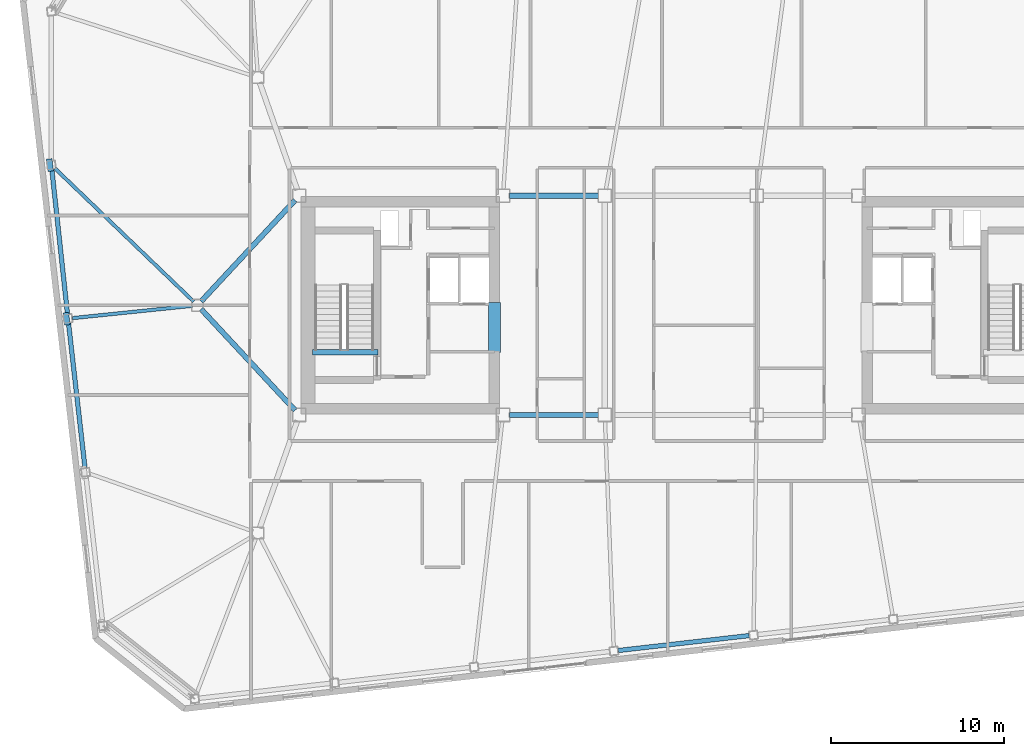
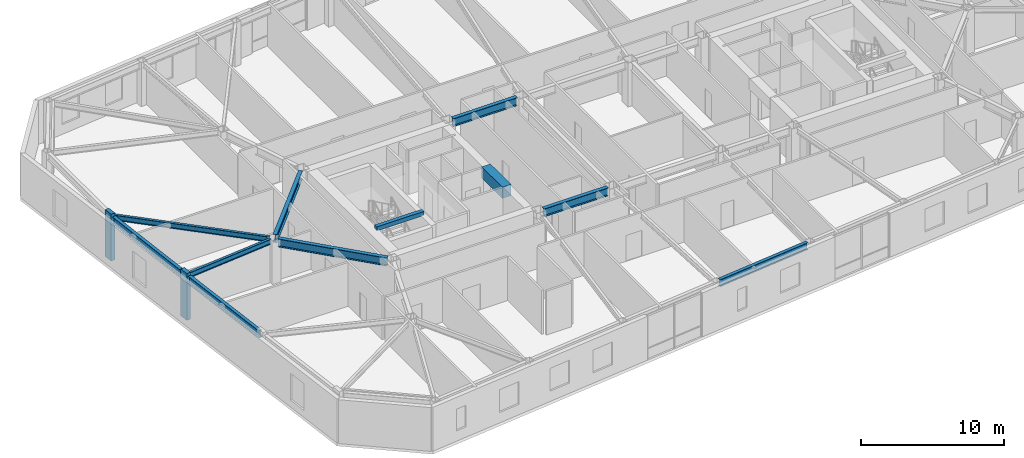
# One storey, part 5 of 20: 11 beams, 2 members.
"""IFC4 building model written with IfcOpenShell, lengths in metres."""

import ifcopenshell
import ifcopenshell.guid

model = None  # the IFC model being written
_history = None  # IfcOwnerHistory: only IFC2X3 demands one
_inside = {}  # id of a spatial element -> (the spatial element, [elements in it])
_under = {}  # id of a project, library or spatial element -> (it, [spatial elements below it])
_declared = {}  # id of a project -> (the project, [libraries it declares])
_typed = {}  # id of a type object -> (the type object, [elements of that type])
_made_of = {}  # id of a material, layer set ... -> (it, [elements and type objects made of it])


def new_model(schema):
    """Start an empty IFC model of exactly this schema.

    Asked for "IFC4X3", IfcOpenShell would pick the latest addendum, in which some entities
    have other attributes; the version numbers below select the first issue.
    IFC2X3 requires an IfcOwnerHistory on every rooted entity: one is made here for all.
    """
    global model, _history
    if schema == "IFC4X3":
        model = ifcopenshell.file(schema_version=(4, 3, 0, 0))
    else:
        model = ifcopenshell.file(schema=schema)
    _inside.clear()
    _under.clear()
    _declared.clear()
    _typed.clear()
    _made_of.clear()
    _history = None
    if model.schema == "IFC2X3":
        org = make("IfcOrganization", Name="unknown")
        user = make(
            "IfcPersonAndOrganization",
            ThePerson=make("IfcPerson", FamilyName="unknown"),
            TheOrganization=org,
        )
        app = make(
            "IfcApplication",
            ApplicationDeveloper=org,
            Version="unknown",
            ApplicationFullName="unknown",
            ApplicationIdentifier="unknown",
        )
        _history = make(
            "IfcOwnerHistory",
            OwningUser=user,
            OwningApplication=app,
            ChangeAction="ADDED",
            CreationDate=0,
        )
    return model


def make(cls, **values):
    """One entity of the class cls with the attributes given. An attribute that is None is left unset."""
    return model.create_entity(
        cls, **{name: value for name, value in values.items() if value is not None}
    )


def rooted(cls, **values):
    """An entity with a GlobalId (a new one), such as an element, a storey or a relation."""
    return make(cls, GlobalId=ifcopenshell.guid.new(), OwnerHistory=_history, **values)


def si_unit(unit_type, name, prefix=None):
    """IfcSIUnit, for example si_unit("LENGTHUNIT", "METRE", prefix="MILLI")."""
    return make("IfcSIUnit", UnitType=unit_type, Prefix=prefix, Name=name)


def assignment(units):
    """IfcUnitAssignment: the units of a project."""
    return None if units is None else make("IfcUnitAssignment", Units=units)


def point(xyz):
    """IfcCartesianPoint."""
    return None if xyz is None else make("IfcCartesianPoint", Coordinates=xyz)


def direction(xyz):
    """IfcDirection."""
    return None if xyz is None else make("IfcDirection", DirectionRatios=xyz)


def frame(location, z_axis=None, x_axis=None):
    """IfcAxis2Placement3D, a coordinate frame: its origin and axes. An axis left out is left unset."""
    return make(
        "IfcAxis2Placement3D",
        Location=point(location),
        Axis=direction(z_axis),
        RefDirection=direction(x_axis),
    )


def frame_2d(location, x_axis=None):
    """IfcAxis2Placement2D, a coordinate frame in the plane: its origin and x axis."""
    return make(
        "IfcAxis2Placement2D", Location=point(location), RefDirection=direction(x_axis)
    )


def origin():
    """The frame at (0, 0, 0) with its axes left unset."""
    return frame((0.0, 0.0, 0.0))


def origin_2d():
    """The frame at (0, 0) in the plane with its x axis left unset."""
    return frame_2d((0.0, 0.0))


def place(relative_to, where):
    """IfcLocalPlacement: puts the frame where relative to a parent placement (None: the world)."""
    return make(
        "IfcLocalPlacement", PlacementRelTo=relative_to, RelativePlacement=where
    )


def context(
    kind, dimensions, precision=None, world=None, true_north=None, identifier=None
):
    """IfcGeometricRepresentationContext, for example the 3D "Model" context."""
    return make(
        "IfcGeometricRepresentationContext",
        ContextIdentifier=identifier,
        ContextType=kind,
        CoordinateSpaceDimension=dimensions,
        Precision=precision,
        WorldCoordinateSystem=world,
        TrueNorth=true_north,
    )


def subcontext(parent, identifier, kind, view, scale=None):
    """IfcGeometricRepresentationSubContext, for example "Body" below "Model"."""
    return make(
        "IfcGeometricRepresentationSubContext",
        ContextIdentifier=identifier,
        ContextType=kind,
        ParentContext=parent,
        TargetScale=scale,
        TargetView=view,
    )


def project(units=None, contexts=None):
    """IfcProject with its units and contexts."""
    return rooted(
        "IfcProject",
        Name="project",
        RepresentationContexts=contexts,
        UnitsInContext=assignment(units),
    )


def spatial(cls, under=None, at=None, **own):
    """A site, building, storey or space (cls), placed at a placement, below another one or the project."""
    s = rooted(cls, ObjectPlacement=at, **own)
    if under is not None:
        _under.setdefault(under.id(), (under, []))[1].append(s)
    return s


def profile(cls, at=None, kind="AREA", **sizes):
    """A parametric profile (cls). Its sizes go by their IFC names, for example OverallWidth=200.0."""
    return make(cls, ProfileType=kind, Position=at, **sizes)


def rectangle(**sizes):
    """IfcRectangleProfileDef."""
    return profile("IfcRectangleProfileDef", **sizes)


def i_section(**sizes):
    """IfcIShapeProfileDef."""
    return profile("IfcIShapeProfileDef", **sizes)


def extrude(swept, where, along, depth):
    """IfcExtrudedAreaSolid: the profile swept, set in the frame where, extruded along a direction by depth."""
    return make(
        "IfcExtrudedAreaSolid",
        SweptArea=swept,
        Position=where,
        ExtrudedDirection=direction(along),
        Depth=depth,
    )


def shape(context_of_items, identifier, shape_type, items):
    """IfcShapeRepresentation: the items that make up one representation, for example the "Body"."""
    return make(
        "IfcShapeRepresentation",
        ContextOfItems=context_of_items,
        RepresentationIdentifier=identifier,
        RepresentationType=shape_type,
        Items=items,
    )


def material(Name=None, Category=None):
    """IfcMaterial."""
    return make("IfcMaterial", Name=Name, Category=Category)


def material_profile(
    of_material, cross_section, Name=None, Category=None, Priority=None
):
    """IfcMaterialProfile: a cross section and its material."""
    return make(
        "IfcMaterialProfile",
        Name=Name,
        Material=of_material,
        Profile=cross_section,
        Priority=Priority,
        Category=Category,
    )


def profile_set(profiles, Name=None, composite=None):
    """IfcMaterialProfileSet."""
    return make(
        "IfcMaterialProfileSet",
        Name=Name,
        MaterialProfiles=profiles,
        CompositeProfile=composite,
    )


def made_of(thing, what):
    """Note that an element or type object is made of a material, layer set ...; save() writes the relation."""
    if what is not None:
        _made_of.setdefault(what.id(), (what, []))[1].append(thing)
    return thing


def type_object(cls, material=None, **own):
    """A type object (cls), such as IfcWallType, which elements share."""
    return made_of(rooted(cls, **own), material)


def element(
    cls,
    number,
    at=None,
    inside=None,
    cuts=None,
    type_object=None,
    material=None,
    context=None,
    identifier="Body",
    shape_type=None,
    held_by="IfcProductDefinitionShape",
    body=None,
    shapes=None,
    **own,
):
    """One element of the class cls, such as IfcWall. Its Tag is "e" and its number.

    at: its placement. inside: the storey or other place that contains it. cuts: it is an
    opening in that element (IfcRelVoidsElement). A single representation is given by context,
    identifier, shape_type and body (its items); several are given by shapes. held_by: the class
    of the entity that holds the representations. save() writes the other relations.
    """
    e = rooted(cls, Tag="e%d" % number, ObjectPlacement=at, **own)
    if body is not None:
        shapes = [shape(context, identifier, shape_type, body)]
    if shapes is not None:
        e.Representation = make(held_by, Representations=shapes)
    if inside is not None:
        _inside.setdefault(inside.id(), (inside, []))[1].append(e)
    if cuts is not None:
        rooted(
            "IfcRelVoidsElement", RelatingBuildingElement=cuts, RelatedOpeningElement=e
        )
    if type_object is not None:
        _typed.setdefault(type_object.id(), (type_object, []))[1].append(e)
    return made_of(e, material)


def aggregate(whole, parts):
    """IfcRelAggregates: a whole, such as a stair, and the parts it consists of."""
    return rooted("IfcRelAggregates", RelatingObject=whole, RelatedObjects=parts)


def save(model, path):
    """Write the relations noted so far, then the file.

    IfcRelAggregates (storeys below a building ...), IfcRelContainedInSpatialStructure (elements
    in a storey), IfcRelDefinesByType, IfcRelAssociatesMaterial and IfcRelDeclares: one each for
    every whole, place, type object, material and project.
    """
    for whole, parts in _under.values():
        aggregate(whole, parts)
    for where, things in _inside.values():
        rooted(
            "IfcRelContainedInSpatialStructure",
            RelatedElements=things,
            RelatingStructure=where,
        )
    for kind, things in _typed.values():
        rooted("IfcRelDefinesByType", RelatedObjects=things, RelatingType=kind)
    for what, things in _made_of.values():
        rooted("IfcRelAssociatesMaterial", RelatedObjects=things, RelatingMaterial=what)
    for by, libraries in _declared.values():
        rooted("IfcRelDeclares", RelatingContext=by, RelatedDefinitions=libraries)
    model.write(path)


model = new_model("IFC4")

# Units and contexts
model_context = context("Model", 3, precision=1e-05, world=origin(), true_north=direction((0.0, 1.0)))
body_context = subcontext(model_context, "Body", "Model", "MODEL_VIEW")
ifc_project = project(units=[si_unit("LENGTHUNIT", "METRE"), si_unit("AREAUNIT", "SQUARE_METRE"), si_unit("VOLUMEUNIT", "CUBIC_METRE"), si_unit("PLANEANGLEUNIT", "RADIAN"), si_unit("MASSUNIT", "GRAM", prefix="KILO")], contexts=[model_context])

# Site, building, storey
site_placement = place(None, origin())
site = spatial("IfcSite", under=ifc_project, at=site_placement, CompositionType="ELEMENT")
building_placement = place(site_placement, origin())
building = spatial("IfcBuilding", under=site, at=building_placement, Name="Tavrogorsk Clinical Tower", CompositionType="ELEMENT")
storey_placement = place(building_placement, frame((0.0, 0.0, 251.0)))
storey = spatial("IfcBuildingStorey", under=building, at=storey_placement, Name="L58", CompositionType="ELEMENT", Elevation=251.0)

# Beams
ifc_material_1 = material(Name="Concrete B80", Category="concrete")
ifc_material_profile_1 = material_profile(ifc_material_1, rectangle(XDim=0.699951171875, YDim=0.949951171875, at=origin_2d()), Name="RC-CB-700x950")
ifc_profile_set_1 = profile_set([ifc_material_profile_1], Name="Concrete B80")
beam_type_1 = type_object("IfcBeamType", Name="CouplingBeam_RC700x950", PredefinedType="LINTEL", material=ifc_profile_set_1)
beam_1_placement = place(storey_placement, frame((-10.800048828125, -2.75, 3.264892578125), z_axis=(0.0, 1.0, 0.0), x_axis=(-1.0, 0.0, 0.0)))
element("IfcBeam", 1, at=beam_1_placement, inside=storey, type_object=beam_type_1, Name="L58 Core West Coupling Beam", PredefinedType="LINTEL", context=body_context, shape_type="SweptSolid", body=[
    extrude(rectangle(XDim=0.699951171875, YDim=0.949951171875, at=origin_2d()), origin(), (0.0, 0.0, 1.0), 2.89990234375),
])
ifc_material_2 = material(Name="Structural steel S355", Category="steel")
ifc_material_profile_2 = material_profile(ifc_material_2, i_section(OverallWidth=0.199951171875, OverallDepth=0.449951171875, WebThickness=0.011474609375, FlangeThickness=0.01806640625, at=origin_2d()), Name="B-450x200x11.5x18")
ifc_profile_set_2 = profile_set([ifc_material_profile_2], Name="Structural steel S355")
beam_type_2 = type_object("IfcBeamType", Name="FloorBeam_B450", PredefinedType="BEAM", material=ifc_profile_set_2)
beam_2_placement = place(storey_placement, frame((-28.2236328125, 0.214599609375, 3.514892578125), z_axis=(-0.721413519982, 0.692504536582, 0.0), x_axis=(-0.692504536582, -0.721413519982, 0.0)))
element("IfcBeam", 2, at=beam_2_placement, inside=storey, type_object=beam_type_2, Name="L58 Radial Floor Beam W2", PredefinedType="BEAM", context=body_context, shape_type="SweptSolid", body=[
    extrude(i_section(OverallWidth=0.199951171875, OverallDepth=0.449951171875, WebThickness=0.011474609375, FlangeThickness=0.01806640625, at=origin_2d()), origin(), (0.0, 0.0, 1.0), 11.1728515625),
])
beam_3_placement = place(storey_placement, frame((-28.308349609375, -0.03173828125, 3.514892578125), z_axis=(-0.994752624307, -0.102309415177, 0.0), x_axis=(0.102309415177, -0.994752624307, 0.0)))
element("IfcBeam", 3, at=beam_3_placement, inside=storey, type_object=beam_type_2, Name="L58 Radial Floor Beam W3", PredefinedType="BEAM", context=body_context, shape_type="SweptSolid", body=[
    extrude(i_section(OverallWidth=0.199951171875, OverallDepth=0.449951171875, WebThickness=0.011474609375, FlangeThickness=0.01806640625, at=origin_2d()), origin(), (0.0, 0.0, 1.0), 6.9775390625),
])

# Members
ifc_material_3 = material(Name="Precast concrete B45 with limestone cladding", Category="masonry")
ifc_material_profile_3 = material_profile(ifc_material_3, rectangle(XDim=0.320068359375, YDim=0.719970703125, at=origin_2d()), Name="LIMESTONE-FIN-320x720")
ifc_profile_set_3 = profile_set([ifc_material_profile_3], Name="Precast concrete B45 with limestone cladding")
member_type = type_object("IfcMemberType", Name="LimestonePleatFin_320x720", PredefinedType="USERDEFINED", material=ifc_profile_set_3)
for number, where, z_axis, x_axis, name in (
    (4, (-36.549560546875, 8.121337890625, 0.0), (0.0, 0.0, 1.0), (0.993571855677, 0.113203213768, 0.0), "L58 W Pleated Stone Fin 1"),
    (5, (-35.585205078125, -0.781005859375, 0.0), (0.0, 0.0, 1.0), (0.993571855677, 0.113203213768, 0.0), "L58 W Pleated Stone Fin 2"),
):
    element("IfcMember", number, at=place(storey_placement, frame(where, z_axis=z_axis, x_axis=x_axis)), inside=storey, type_object=member_type, Name=name, ObjectType="FIN", PredefinedType="USERDEFINED", context=body_context, shape_type="SweptSolid", body=[
        extrude(rectangle(XDim=0.320068359375, YDim=0.719970703125, at=origin_2d()), origin(), (0.0, 0.0, 1.0), 4.0),
    ])

# Beams
ifc_material_4 = material(Name="Structural steel S390", Category="steel")
ifc_material_profile_4 = material_profile(ifc_material_4, i_section(OverallWidth=0.300048828125, OverallDepth=0.699951171875, WebThickness=0.01708984375, FlangeThickness=0.028076171875, at=origin_2d()), Name="B-700x300x17x28")
ifc_profile_set_4 = profile_set([ifc_material_profile_4], Name="Structural steel S390")
beam_type_3 = type_object("IfcBeamType", Name="PrimaryGirder_B700", PredefinedType="USERDEFINED", material=ifc_profile_set_4)
for number, where, z_axis, x_axis, name in (
    (6, (-9.93994140625, -6.35009765625, 3.389892578125), (1.0, 0.0, 0.0), (0.0, 1.0, 0.0), "L58 Primary Spine Girder MG-01"),
    (7, (-9.93994140625, 6.35009765625, 3.389892578125), (1.0, 0.0, 0.0), (0.0, 1.0, 0.0), "L58 Primary Spine Girder MG-02"),
):
    element("IfcBeam", number, at=place(storey_placement, frame(where, z_axis=z_axis, x_axis=x_axis)), inside=storey, type_object=beam_type_3, Name=name, ObjectType="GIRDER", PredefinedType="USERDEFINED", context=body_context, shape_type="SweptSolid", body=[
        extrude(i_section(OverallWidth=0.300048828125, OverallDepth=0.699951171875, WebThickness=0.01708984375, FlangeThickness=0.028076171875, at=origin_2d()), origin(), (0.0, 0.0, 1.0), 5.179931640625),
    ])
for number, where, z_axis, x_axis, name in (
    (8, (-27.7890625, -0.22705078125, 3.389892578125), (0.680684060959, -0.732577101168, 0.0), (0.732577101168, 0.680684060959, 0.0), "L58 Spine Link Girder OPG-5"),
    (9, (-27.7890625, 0.22705078125, 3.389892578125), (0.680684060959, 0.732577101168, 0.0), (-0.732577101168, 0.680684060959, 0.0), "L58 Spine Link Girder OPG-6"),
):
    element("IfcBeam", number, at=place(storey_placement, frame(where, z_axis=z_axis, x_axis=x_axis)), inside=storey, type_object=beam_type_3, Name=name, ObjectType="GIRDER", PredefinedType="USERDEFINED", context=body_context, shape_type="SweptSolid", body=[
        extrude(i_section(OverallWidth=0.300048828125, OverallDepth=0.699951171875, WebThickness=0.01708984375, FlangeThickness=0.028076171875, at=origin_2d()), origin(), (0.0, 0.0, 1.0), 7.998046875),
    ])
ifc_material_5 = material(Name="Structural steel S390", Category="steel")
ifc_material_profile_5 = material_profile(ifc_material_5, i_section(OverallWidth=0.260009765625, OverallDepth=0.60009765625, WebThickness=0.014892578125, FlangeThickness=0.02392578125, at=origin_2d()), Name="B-600x260x15x24")
ifc_profile_set_5 = profile_set([ifc_material_profile_5], Name="Structural steel S390")
beam_type_4 = type_object("IfcBeamType", Name="SpandrelBeam_B600", PredefinedType="SPANDREL", material=ifc_profile_set_5)
beam_4_placement = place(storey_placement, frame((-3.619873046875, -20.006103515625, 3.43994140625), z_axis=(0.993568911788, 0.113229048956, 0.0), x_axis=(-0.113229048956, 0.993568911788, 0.0)))
element("IfcBeam", 10, at=beam_4_placement, inside=storey, type_object=beam_type_4, Name="L58 Perimeter Spandrel S4-S5", PredefinedType="SPANDREL", context=body_context, shape_type="SweptSolid", body=[
    extrude(i_section(OverallWidth=0.260009765625, OverallDepth=0.60009765625, WebThickness=0.014892578125, FlangeThickness=0.02392578125, at=origin_2d()), origin(), (0.0, 0.0, 1.0), 7.6328125),
])
beam_5_placement = place(storey_placement, frame((-36.442138671875, 7.8740234375, 3.43994140625), z_axis=(0.107655746314, -0.994188231818, 0.0), x_axis=(0.994188231818, 0.107655746314, 0.0)))
element("IfcBeam", 11, at=beam_5_placement, inside=storey, type_object=beam_type_4, Name="L58 Perimeter Spandrel W2-W3", PredefinedType="SPANDREL", context=body_context, shape_type="SweptSolid", body=[
    extrude(i_section(OverallWidth=0.260009765625, OverallDepth=0.60009765625, WebThickness=0.014892578125, FlangeThickness=0.02392578125, at=origin_2d()), origin(), (0.0, 0.0, 1.0), 8.4384765625),
])
beam_6_placement = place(storey_placement, frame((-35.4765625, -1.0283203125, 3.43994140625), z_axis=(0.113195129234, -0.99357277676, 0.0), x_axis=(0.99357277676, 0.113195129234, 0.0)))
element("IfcBeam", 12, at=beam_6_placement, inside=storey, type_object=beam_type_4, Name="L58 Perimeter Spandrel W3-W4", PredefinedType="SPANDREL", context=body_context, shape_type="SweptSolid", body=[
    extrude(i_section(OverallWidth=0.260009765625, OverallDepth=0.60009765625, WebThickness=0.014892578125, FlangeThickness=0.02392578125, at=origin_2d()), origin(), (0.0, 0.0, 1.0), 8.44384765625),
])
ifc_material_6 = material(Name="Concrete B60", Category="concrete")
ifc_material_profile_6 = material_profile(ifc_material_6, rectangle(XDim=0.300048828125, YDim=0.35009765625, at=origin_2d()), Name="RC-SHB-300x350")
ifc_profile_set_6 = profile_set([ifc_material_profile_6], Name="Concrete B60")
beam_type_5 = type_object("IfcBeamType", Name="StairHeaderBeam_RC300x350", PredefinedType="BEAM", material=ifc_profile_set_6)
beam_7_placement = place(storey_placement, frame((-21.35009765625, -2.719970703125, 3.824951171875), z_axis=(1.0, 0.0, 0.0), x_axis=(0.0, 1.0, 0.0)))
element("IfcBeam", 13, at=beam_7_placement, inside=storey, type_object=beam_type_5, Name="L59 ST-W Landing Header Beam", PredefinedType="BEAM", context=body_context, shape_type="SweptSolid", body=[
    extrude(rectangle(XDim=0.300048828125, YDim=0.35009765625, at=origin_2d()), origin(), (0.0, 0.0, 1.0), 3.800048828125),
])

save(model, "model.ifc")
